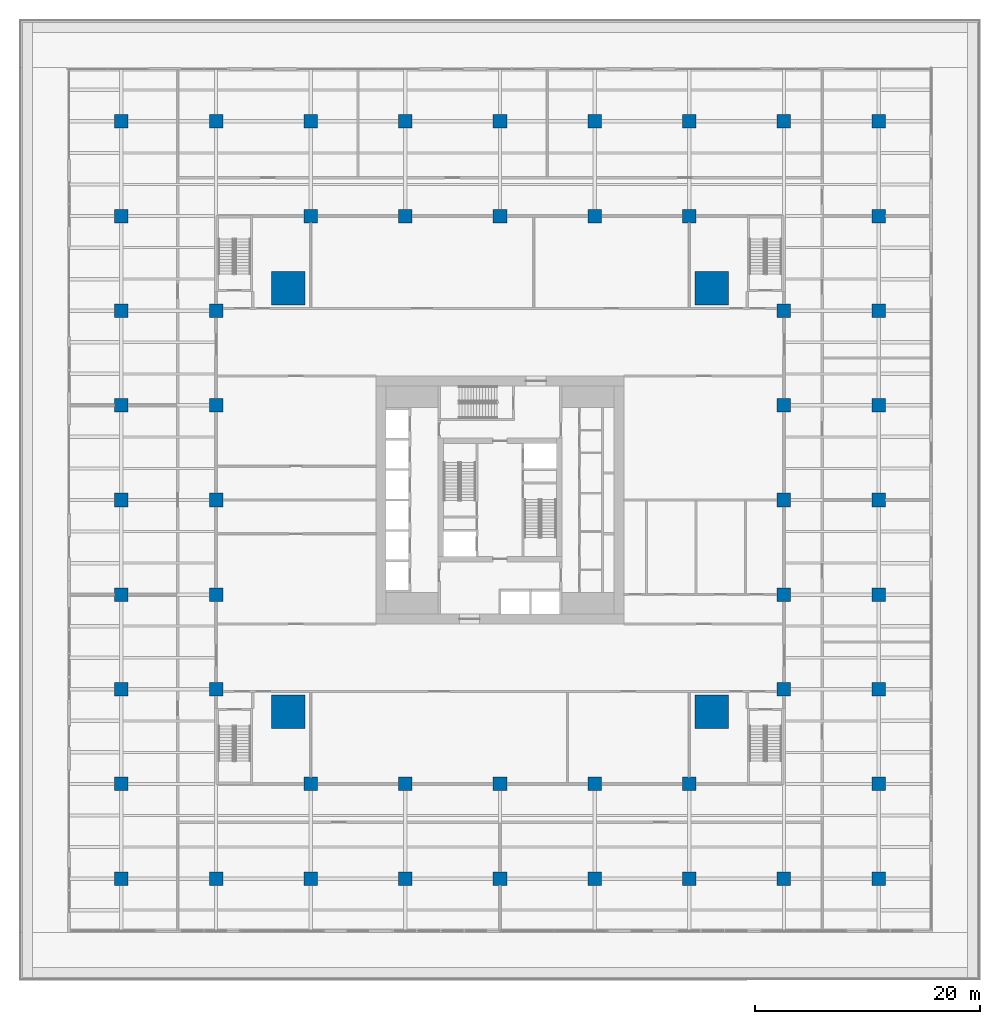
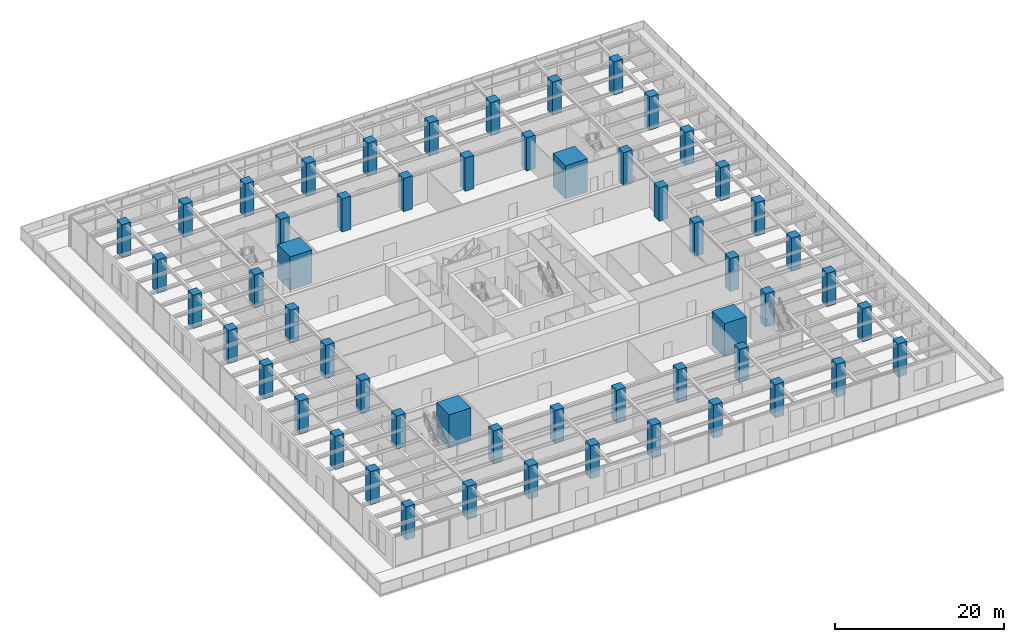
# One storey, part 1 of 32: 56 columns.
"""IFC4 building model written with IfcOpenShell, lengths in metres."""

from ifc_helpers import new_model, si_unit, direction, frame, origin, origin_2d, place, context, subcontext, project, spatial, rectangle, extrude, material, material_profile, profile_set, type_object, element, save


model = new_model("IFC4")

# Units and contexts
model_context = context("Model", 3, precision=1e-05, world=origin(), true_north=direction((0.0, 1.0)))
body_context = subcontext(model_context, "Body", "Model", "MODEL_VIEW")
ifc_project = project(units=[si_unit("LENGTHUNIT", "METRE"), si_unit("AREAUNIT", "SQUARE_METRE"), si_unit("VOLUMEUNIT", "CUBIC_METRE"), si_unit("PLANEANGLEUNIT", "RADIAN"), si_unit("MASSUNIT", "GRAM", prefix="KILO")], contexts=[model_context])

# Site, building, storey
site_placement = place(None, origin())
site = spatial("IfcSite", under=ifc_project, at=site_placement, CompositionType="ELEMENT")
building_placement = place(site_placement, origin())
building = spatial("IfcBuilding", under=site, at=building_placement, Name="Khepri Terraces", CompositionType="ELEMENT")
storey_placement = place(building_placement, frame((0.0, 0.0, 12.0)))
storey = spatial("IfcBuildingStorey", under=building, at=storey_placement, Name="L02", CompositionType="ELEMENT", Elevation=12.0)

# Columns
ifc_material_1 = material(Name="Concrete C80/95", Category="concrete")
ifc_material_profile_1 = material_profile(ifc_material_1, rectangle(XDim=3.0, YDim=3.0, at=origin_2d()), Name="Concrete C80/95", Category="concrete")
ifc_profile_set_1 = profile_set([ifc_material_profile_1], Name="Concrete C80/95")
column_type_1 = type_object("IfcColumnType", Name="Mega column RC 3000x3000 C80/95", PredefinedType="COLUMN", material=ifc_profile_set_1)
for number, where, z_axis, x_axis, name in (
    (1, (18.800048828125, 18.800048828125, 0.0), (0.0, 0.0, 1.0), (1.0, 0.0, 0.0), "Mega column MEN L02"),
    (2, (18.800048828125, -18.800048828125, 0.0), (0.0, 0.0, 1.0), (1.0, 0.0, 0.0), "Mega column MES L02"),
    (3, (-18.800048828125, 18.800048828125, 0.0), (0.0, 0.0, 1.0), (1.0, 0.0, 0.0), "Mega column MWN L02"),
    (4, (-18.800048828125, -18.800048828125, 0.0), (0.0, 0.0, 1.0), (1.0, 0.0, 0.0), "Mega column MWS L02"),
):
    element("IfcColumn", number, at=place(storey_placement, frame(where, z_axis=z_axis, x_axis=x_axis)), inside=storey, type_object=column_type_1, Name=name, PredefinedType="COLUMN", context=body_context, shape_type="SweptSolid", body=[
        extrude(rectangle(XDim=3.0, YDim=3.0, at=origin_2d()), origin(), (0.0, 0.0, 1.0), 4.800048828125),
    ])
ifc_material_2 = material(Name="Concrete C60/75", Category="concrete")
ifc_material_profile_2 = material_profile(ifc_material_2, rectangle(XDim=1.199951171875, YDim=1.199951171875, at=origin_2d()), Name="Concrete C60/75", Category="concrete")
ifc_profile_set_2 = profile_set([ifc_material_profile_2], Name="Concrete C60/75")
column_type_2 = type_object("IfcColumnType", Name="Podium column RC 1200x1200 C60/75", PredefinedType="COLUMN", material=ifc_profile_set_2)
for number, where, z_axis, x_axis, name in (
    (5, (0.0, 33.60009765625, 0.0), (0.0, 0.0, 1.0), (1.0, 0.0, 0.0), "Podium column G+000+336 L02"),
    (6, (0.0, -33.60009765625, 0.0), (0.0, 0.0, 1.0), (1.0, 0.0, 0.0), "Podium column G+000-336 L02"),
    (7, (8.39990234375, 33.60009765625, 0.0), (0.0, 0.0, 1.0), (1.0, 0.0, 0.0), "Podium column G+084+336 L02"),
    (8, (8.39990234375, -33.60009765625, 0.0), (0.0, 0.0, 1.0), (1.0, 0.0, 0.0), "Podium column G+084-336 L02"),
    (9, (16.800048828125, 33.60009765625, 0.0), (0.0, 0.0, 1.0), (1.0, 0.0, 0.0), "Podium column G+168+336 L02"),
    (10, (16.800048828125, -33.60009765625, 0.0), (0.0, 0.0, 1.0), (1.0, 0.0, 0.0), "Podium column G+168-336 L02"),
    (11, (25.199951171875, 33.60009765625, 0.0), (0.0, 0.0, 1.0), (1.0, 0.0, 0.0), "Podium column G+252+336 L02"),
    (12, (25.199951171875, -33.60009765625, 0.0), (0.0, 0.0, 1.0), (1.0, 0.0, 0.0), "Podium column G+252-336 L02"),
    (13, (33.60009765625, 0.0, 0.0), (0.0, 0.0, 1.0), (1.0, 0.0, 0.0), "Podium column G+336+000 L02"),
    (14, (33.60009765625, 8.39990234375, 0.0), (0.0, 0.0, 1.0), (1.0, 0.0, 0.0), "Podium column G+336+084 L02"),
    (15, (33.60009765625, 16.800048828125, 0.0), (0.0, 0.0, 1.0), (1.0, 0.0, 0.0), "Podium column G+336+168 L02"),
    (16, (33.60009765625, 25.199951171875, 0.0), (0.0, 0.0, 1.0), (1.0, 0.0, 0.0), "Podium column G+336+252 L02"),
    (17, (33.60009765625, 33.60009765625, 0.0), (0.0, 0.0, 1.0), (1.0, 0.0, 0.0), "Podium column G+336+336 L02"),
    (18, (33.60009765625, -8.39990234375, 0.0), (0.0, 0.0, 1.0), (1.0, 0.0, 0.0), "Podium column G+336-084 L02"),
    (19, (33.60009765625, -16.800048828125, 0.0), (0.0, 0.0, 1.0), (1.0, 0.0, 0.0), "Podium column G+336-168 L02"),
    (20, (33.60009765625, -25.199951171875, 0.0), (0.0, 0.0, 1.0), (1.0, 0.0, 0.0), "Podium column G+336-252 L02"),
    (21, (33.60009765625, -33.60009765625, 0.0), (0.0, 0.0, 1.0), (1.0, 0.0, 0.0), "Podium column G+336-336 L02"),
    (22, (-8.39990234375, 33.60009765625, 0.0), (0.0, 0.0, 1.0), (1.0, 0.0, 0.0), "Podium column G-084+336 L02"),
    (23, (-8.39990234375, -33.60009765625, 0.0), (0.0, 0.0, 1.0), (1.0, 0.0, 0.0), "Podium column G-084-336 L02"),
    (24, (-16.800048828125, 33.60009765625, 0.0), (0.0, 0.0, 1.0), (1.0, 0.0, 0.0), "Podium column G-168+336 L02"),
    (25, (-16.800048828125, -33.60009765625, 0.0), (0.0, 0.0, 1.0), (1.0, 0.0, 0.0), "Podium column G-168-336 L02"),
    (26, (-25.199951171875, 33.60009765625, 0.0), (0.0, 0.0, 1.0), (1.0, 0.0, 0.0), "Podium column G-252+336 L02"),
    (27, (-25.199951171875, -33.60009765625, 0.0), (0.0, 0.0, 1.0), (1.0, 0.0, 0.0), "Podium column G-252-336 L02"),
    (28, (-33.60009765625, 0.0, 0.0), (0.0, 0.0, 1.0), (1.0, 0.0, 0.0), "Podium column G-336+000 L02"),
    (29, (-33.60009765625, 8.39990234375, 0.0), (0.0, 0.0, 1.0), (1.0, 0.0, 0.0), "Podium column G-336+084 L02"),
    (30, (-33.60009765625, 16.800048828125, 0.0), (0.0, 0.0, 1.0), (1.0, 0.0, 0.0), "Podium column G-336+168 L02"),
    (31, (-33.60009765625, 25.199951171875, 0.0), (0.0, 0.0, 1.0), (1.0, 0.0, 0.0), "Podium column G-336+252 L02"),
    (32, (-33.60009765625, 33.60009765625, 0.0), (0.0, 0.0, 1.0), (1.0, 0.0, 0.0), "Podium column G-336+336 L02"),
    (33, (-33.60009765625, -8.39990234375, 0.0), (0.0, 0.0, 1.0), (1.0, 0.0, 0.0), "Podium column G-336-084 L02"),
    (34, (-33.60009765625, -16.800048828125, 0.0), (0.0, 0.0, 1.0), (1.0, 0.0, 0.0), "Podium column G-336-168 L02"),
    (35, (-33.60009765625, -25.199951171875, 0.0), (0.0, 0.0, 1.0), (1.0, 0.0, 0.0), "Podium column G-336-252 L02"),
    (36, (-33.60009765625, -33.60009765625, 0.0), (0.0, 0.0, 1.0), (1.0, 0.0, 0.0), "Podium column G-336-336 L02"),
):
    element("IfcColumn", number, at=place(storey_placement, frame(where, z_axis=z_axis, x_axis=x_axis)), inside=storey, type_object=column_type_2, Name=name, PredefinedType="COLUMN", context=body_context, shape_type="SweptSolid", body=[
        extrude(rectangle(XDim=1.199951171875, YDim=1.199951171875, at=origin_2d()), origin(), (0.0, 0.0, 1.0), 4.800048828125),
    ])
ifc_material_profile_3 = material_profile(ifc_material_1, rectangle(XDim=1.199951171875, YDim=1.199951171875, at=origin_2d()), Name="Concrete C80/95", Category="concrete")
ifc_profile_set_3 = profile_set([ifc_material_profile_3], Name="Concrete C80/95")
column_type_3 = type_object("IfcColumnType", Name="Tower column RC 1200x1200 C80/95", PredefinedType="COLUMN", material=ifc_profile_set_3)
for number, where, z_axis, x_axis, name in (
    (37, (25.199951171875, 0.0, 0.0), (0.0, 0.0, 1.0), (1.0, 0.0, 0.0), "Perimeter column PE+000a L02"),
    (38, (25.199951171875, 8.39990234375, 0.0), (0.0, 0.0, 1.0), (1.0, 0.0, 0.0), "Perimeter column PE+084a L02"),
    (39, (25.199951171875, 16.800048828125, 0.0), (0.0, 0.0, 1.0), (1.0, 0.0, 0.0), "Perimeter column PE+168a L02"),
    (40, (25.199951171875, -8.39990234375, 0.0), (0.0, 0.0, 1.0), (1.0, 0.0, 0.0), "Perimeter column PE-084a L02"),
    (41, (25.199951171875, -16.800048828125, 0.0), (0.0, 0.0, 1.0), (1.0, 0.0, 0.0), "Perimeter column PE-168a L02"),
    (42, (0.0, 25.199951171875, 0.0), (0.0, 0.0, 1.0), (1.0, 0.0, 0.0), "Perimeter column PN+000a L02"),
    (43, (-8.39990234375, 25.199951171875, 0.0), (0.0, 0.0, 1.0), (1.0, 0.0, 0.0), "Perimeter column PN+084a L02"),
    (44, (-16.800048828125, 25.199951171875, 0.0), (0.0, 0.0, 1.0), (1.0, 0.0, 0.0), "Perimeter column PN+168a L02"),
    (45, (8.39990234375, 25.199951171875, 0.0), (0.0, 0.0, 1.0), (1.0, 0.0, 0.0), "Perimeter column PN-084a L02"),
    (46, (16.800048828125, 25.199951171875, 0.0), (0.0, 0.0, 1.0), (1.0, 0.0, 0.0), "Perimeter column PN-168a L02"),
    (47, (0.0, -25.199951171875, 0.0), (0.0, 0.0, 1.0), (1.0, 0.0, 0.0), "Perimeter column PS+000a L02"),
    (48, (8.39990234375, -25.199951171875, 0.0), (0.0, 0.0, 1.0), (1.0, 0.0, 0.0), "Perimeter column PS+084a L02"),
    (49, (16.800048828125, -25.199951171875, 0.0), (0.0, 0.0, 1.0), (1.0, 0.0, 0.0), "Perimeter column PS+168a L02"),
    (50, (-8.39990234375, -25.199951171875, 0.0), (0.0, 0.0, 1.0), (1.0, 0.0, 0.0), "Perimeter column PS-084a L02"),
    (51, (-16.800048828125, -25.199951171875, 0.0), (0.0, 0.0, 1.0), (1.0, 0.0, 0.0), "Perimeter column PS-168a L02"),
    (52, (-25.199951171875, 0.0, 0.0), (0.0, 0.0, 1.0), (1.0, 0.0, 0.0), "Perimeter column PW+000a L02"),
    (53, (-25.199951171875, -8.39990234375, 0.0), (0.0, 0.0, 1.0), (1.0, 0.0, 0.0), "Perimeter column PW+084a L02"),
    (54, (-25.199951171875, -16.800048828125, 0.0), (0.0, 0.0, 1.0), (1.0, 0.0, 0.0), "Perimeter column PW+168a L02"),
    (55, (-25.199951171875, 8.39990234375, 0.0), (0.0, 0.0, 1.0), (1.0, 0.0, 0.0), "Perimeter column PW-084a L02"),
    (56, (-25.199951171875, 16.800048828125, 0.0), (0.0, 0.0, 1.0), (1.0, 0.0, 0.0), "Perimeter column PW-168a L02"),
):
    element("IfcColumn", number, at=place(storey_placement, frame(where, z_axis=z_axis, x_axis=x_axis)), inside=storey, type_object=column_type_3, Name=name, PredefinedType="COLUMN", context=body_context, shape_type="SweptSolid", body=[
        extrude(rectangle(XDim=1.199951171875, YDim=1.199951171875, at=origin_2d()), origin(), (0.0, 0.0, 1.0), 4.800048828125),
    ])

save(model, "model.ifc")
